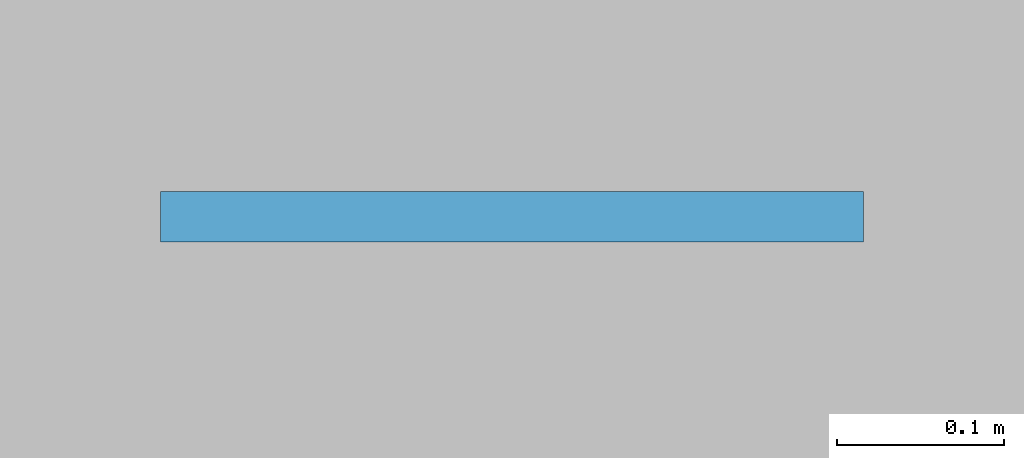
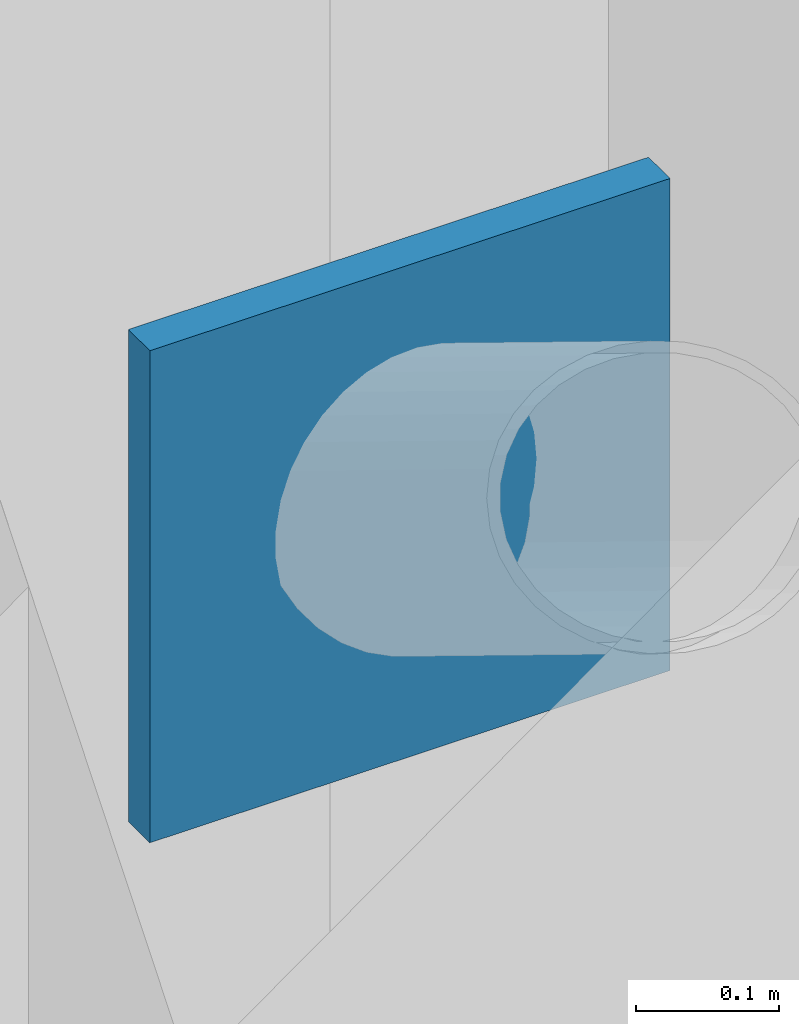
# One storey, part 75 of 116: 1 plate.
"""IFC4 building model written with IfcOpenShell, lengths in metres."""

from ifc_helpers import new_model, si_unit, direction, frame, origin, origin_2d, place, context, subcontext, project, spatial, rectangle, extrude, material, layer, layer_set, type_object, element, save


model = new_model("IFC4")

# Units and contexts
model_context = context("Model", 3, precision=1e-05, world=origin(), true_north=direction((0.0, 1.0)))
body_context = subcontext(model_context, "Body", "Model", "MODEL_VIEW")
ifc_project = project(units=[si_unit("LENGTHUNIT", "METRE"), si_unit("AREAUNIT", "SQUARE_METRE"), si_unit("VOLUMEUNIT", "CUBIC_METRE"), si_unit("PLANEANGLEUNIT", "RADIAN"), si_unit("MASSUNIT", "GRAM", prefix="KILO")], contexts=[model_context])

# Site, building, storey
site_placement = place(None, origin())
site = spatial("IfcSite", under=ifc_project, at=site_placement, CompositionType="ELEMENT")
building_placement = place(site_placement, origin())
building = spatial("IfcBuilding", under=site, at=building_placement, Name="Chalmorin Arch Market", CompositionType="ELEMENT")
storey_placement = place(building_placement, origin())
storey = spatial("IfcBuildingStorey", under=building, at=storey_placement, Name="L00", CompositionType="ELEMENT", Elevation=0.0)

# Plate
ifc_material = material(Name="Steel A572 Grade 50", Category="steel")
ifc_layer = layer(ifc_material, 0.02490234375)
ifc_layer_set = layer_set([ifc_layer], Name="Steel A572 Grade 50")
plate_type = type_object("IfcPlateType", Name="NodeGussetPlate-600x400x25", PredefinedType="SHEET", material=ifc_layer_set)
plate_placement = place(storey_placement, frame((124.800048828125, 6.0, 1.89013671875), z_axis=(0.0, 0.0, 1.0), x_axis=(1.0, 0.0, 0.0)))
element("IfcPlate", 1, at=plate_placement, inside=storey, type_object=plate_type, Name="GP-01-027", PredefinedType="SHEET", context=body_context, shape_type="SweptSolid", body=[
    extrude(rectangle(XDim=0.419921875, YDim=0.030029296875, at=origin_2d()), origin(), (0.0, 0.0, 1.0), 0.419921875),
])

save(model, "model.ifc")
